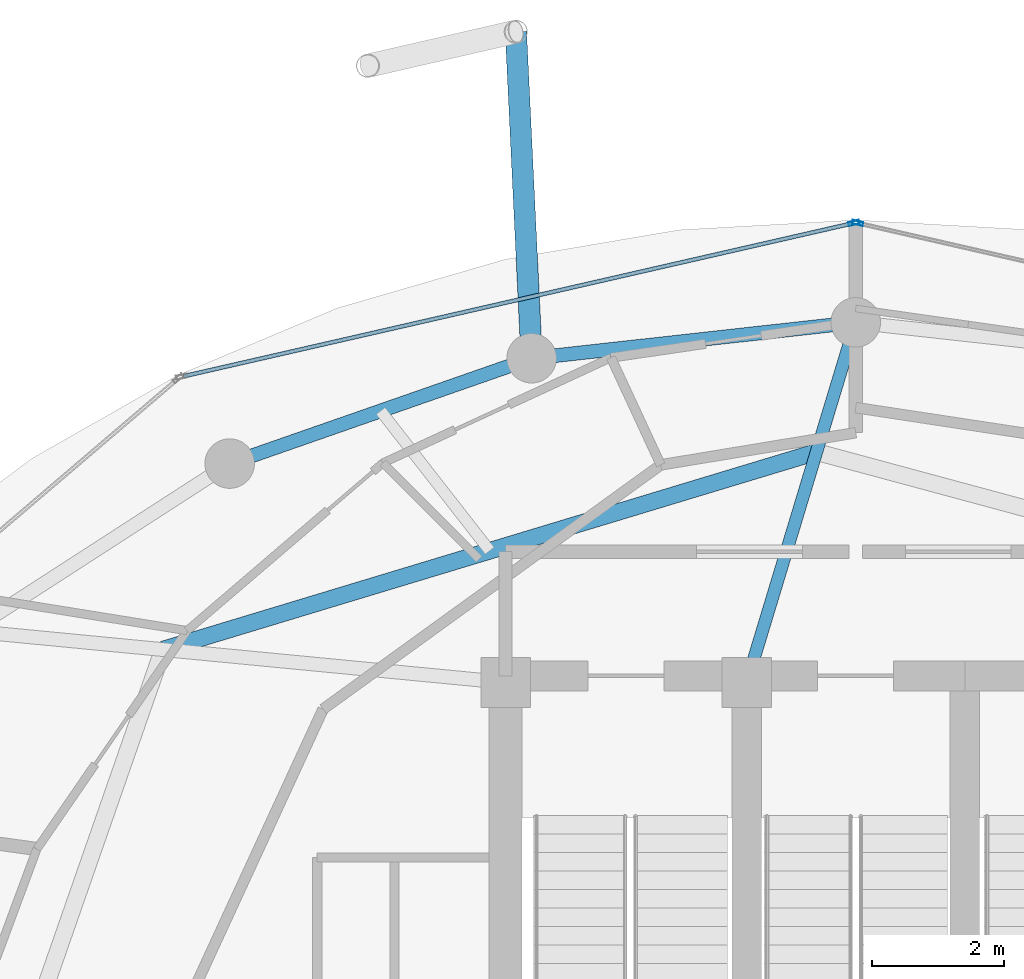
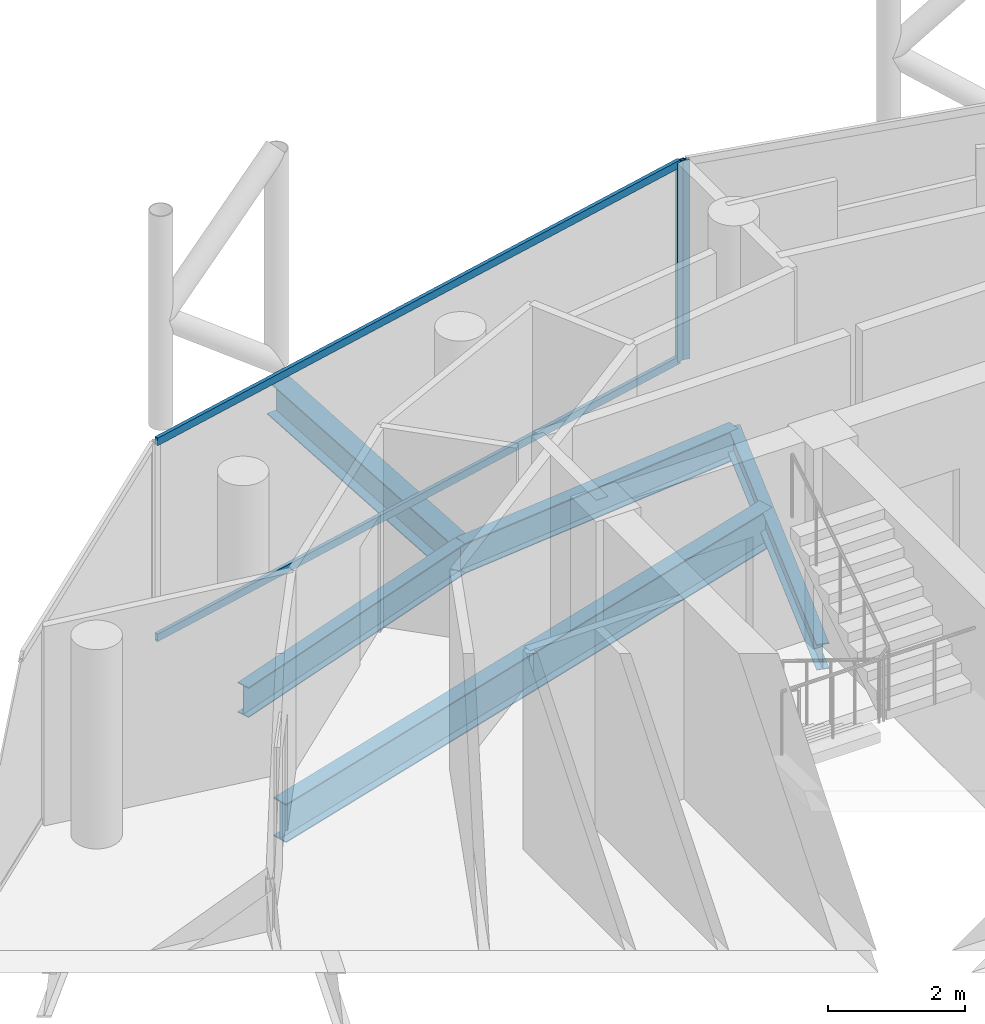
# One storey, part 16 of 24: 5 beams, 4 members, 2 elements without a shape of their own.
"""IFC4 building model written with IfcOpenShell, lengths in metres."""

from ifc_helpers import new_model, si_unit, direction, frame, origin, origin_2d, place, context, subcontext, project, spatial, hollow_rectangle, i_section, extrude, material, layer, layer_set, material_profile, profile_set, type_object, element, aggregate, save


model = new_model("IFC4")

# Units and contexts
model_context = context("Model", 3, precision=1e-05, world=origin(), true_north=direction((0.0, 1.0)))
body_context = subcontext(model_context, "Body", "Model", "MODEL_VIEW")
ifc_project = project(units=[si_unit("LENGTHUNIT", "METRE"), si_unit("AREAUNIT", "SQUARE_METRE"), si_unit("VOLUMEUNIT", "CUBIC_METRE"), si_unit("PLANEANGLEUNIT", "RADIAN"), si_unit("MASSUNIT", "GRAM", prefix="KILO")], contexts=[model_context])

# Site, building, storey
site_placement = place(None, origin())
site = spatial("IfcSite", under=ifc_project, at=site_placement, CompositionType="ELEMENT")
building_placement = place(site_placement, origin())
building = spatial("IfcBuilding", under=site, at=building_placement, Name="Nuhasar Tower", CompositionType="ELEMENT")
storey_placement = place(building_placement, frame((0.0, 0.0, 274.60009765625)))
storey = spatial("IfcBuildingStorey", under=building, at=storey_placement, Name="L68", CompositionType="ELEMENT", Elevation=274.60009765625)

# Beams
ifc_material_1 = material(Name="Steel S355", Category="steel")
ifc_material_profile_1 = material_profile(ifc_material_1, i_section(OverallWidth=0.25390625, OverallDepth=0.68408203125, WebThickness=0.012451171875, FlangeThickness=0.018798828125, at=origin_2d()), Name="W27X94")
ifc_profile_set_1 = profile_set([ifc_material_profile_1], Name="Steel S355")
beam_type_1 = type_object("IfcBeamType", Name="BM-INRING-W27X94", PredefinedType="BEAM", material=ifc_profile_set_1)
beam_1_placement = place(storey_placement, frame((38.406005859375, 40.7880859375, -0.60205078125), z_axis=(-0.957210818407, -0.289391515294, 0.0), x_axis=(0.289391515294, -0.957210818407, 0.0)))
element("IfcBeam", 1, at=beam_1_placement, inside=storey, type_object=beam_type_1, Name="L68 Inner Header Beam 06", PredefinedType="BEAM", context=body_context, shape_type="SweptSolid", body=[
    extrude(i_section(OverallWidth=0.25390625, OverallDepth=0.68408203125, WebThickness=0.012451171875, FlangeThickness=0.018798828125, at=origin_2d()), origin(), (0.0, 0.0, 1.0), 10.33203125),
])
ifc_material_profile_2 = material_profile(ifc_material_1, i_section(OverallWidth=0.18994140625, OverallDepth=0.45703125, WebThickness=0.009033203125, FlangeThickness=0.014404296875, at=origin_2d()), Name="W18X50")
ifc_profile_set_2 = profile_set([ifc_material_profile_2], Name="Steel S355")
beam_type_2 = type_object("IfcBeamType", Name="BM-RAD-W18X50", PredefinedType="BEAM", material=ifc_profile_set_2)
beam_2_placement = place(storey_placement, frame((37.35009765625, 37.300048828125, -0.489013671875), z_axis=(0.289750350206, 0.957102259195, 0.0), x_axis=(-0.957102259195, 0.289750350206, 0.0)))
element("IfcBeam", 2, at=beam_2_placement, inside=storey, type_object=beam_type_2, Name="L68 Radial Floor Girder 06", PredefinedType="BEAM", context=body_context, shape_type="SweptSolid", body=[
    extrude(i_section(OverallWidth=0.18994140625, OverallDepth=0.45703125, WebThickness=0.009033203125, FlangeThickness=0.014404296875, at=origin_2d()), origin(), (0.0, 0.0, 1.0), 5.6943359375),
])
ifc_material_profile_3 = material_profile(ifc_material_1, i_section(OverallWidth=0.2099609375, OverallDepth=0.537109375, WebThickness=0.010986328125, FlangeThickness=0.017333984375, at=origin_2d()), Name="W21X68")
ifc_profile_set_3 = profile_set([ifc_material_profile_3], Name="Steel S355")
beam_type_3 = type_object("IfcBeamType", Name="BM-RING-W21X68", PredefinedType="SPANDREL", material=ifc_profile_set_3)
beam_3_placement = place(storey_placement, frame((39.0, 42.75, -0.529052734375), z_axis=(-0.99392889943, -0.110024283128, 0.0), x_axis=(0.110024283128, -0.99392889943, 0.0)))
element("IfcBeam", 3, at=beam_3_placement, inside=storey, type_object=beam_type_3, Name="L68 Perimeter Ring Spandrel 07", PredefinedType="SPANDREL", context=body_context, shape_type="SweptSolid", body=[
    extrude(i_section(OverallWidth=0.2099609375, OverallDepth=0.537109375, WebThickness=0.010986328125, FlangeThickness=0.017333984375, at=origin_2d()), origin(), (0.0, 0.0, 1.0), 4.93505859375),
])
beam_4_placement = place(storey_placement, frame((34.094970703125, 42.20703125, -0.529052734375), z_axis=(-0.944214043504, -0.329332415729, 0.0), x_axis=(0.329332415729, -0.944214043504, 0.0)))
element("IfcBeam", 4, at=beam_4_placement, inside=storey, type_object=beam_type_3, Name="L68 Perimeter Ring Spandrel 08", PredefinedType="SPANDREL", context=body_context, shape_type="SweptSolid", body=[
    extrude(i_section(OverallWidth=0.2099609375, OverallDepth=0.537109375, WebThickness=0.010986328125, FlangeThickness=0.017333984375, at=origin_2d()), origin(), (0.0, 0.0, 1.0), 4.840087890625),
])
ifc_material_profile_4 = material_profile(ifc_material_1, i_section(OverallWidth=0.323974609375, OverallDepth=0.611083984375, WebThickness=0.0126953125, FlangeThickness=0.01904296875, at=origin_2d()), Name="W24X104")
ifc_profile_set_4 = profile_set([ifc_material_profile_4], Name="Steel S355")
beam_type_4 = type_object("IfcBeamType", Name="BM-TIE-W24X104", PredefinedType="BEAM", material=ifc_profile_set_4)
beam_5_placement = place(storey_placement, frame((34.094970703125, 42.20703125, -0.566162109375), z_axis=(-0.048111398417, 0.998841976162, 0.0), x_axis=(-0.998841976162, -0.048111398417, 0.0)))
element("IfcBeam", 5, at=beam_5_placement, inside=storey, type_object=beam_type_4, Name="L68 Exoskeleton Node Tie Beam 04", PredefinedType="BEAM", context=body_context, shape_type="SweptSolid", body=[
    extrude(i_section(OverallWidth=0.323974609375, OverallDepth=0.611083984375, WebThickness=0.0126953125, FlangeThickness=0.01904296875, at=origin_2d()), origin(), (0.0, 0.0, 1.0), 4.947509765625),
])

# Curtain wall, member
ifc_material_2 = material(Name="Aluminium 6063-T6", Category="aluminium")
ifc_layer = layer(ifc_material_2, 0.18994140625)
ifc_layer_set = layer_set([ifc_layer], Name="Aluminium 6063-T6")
curtain_wall_type = type_object("IfcCurtainWallType", Name="CW-Z4-PEN", PredefinedType="NOTDEFINED", material=ifc_layer_set)
curtain_wall_1_placement = place(storey_placement, origin())
curtain_wall_1 = element("IfcCurtainWall", 6, at=curtain_wall_1_placement, inside=storey, type_object=curtain_wall_type, Name="L68 Unitised Curtain Wall 03", PredefinedType="NOTDEFINED")
ifc_material_profile_5 = material_profile(ifc_material_2, hollow_rectangle(XDim=0.06005859375, YDim=0.1650390625, WallThickness=0.0048828125, at=origin_2d()), Name="CWM-5")
ifc_profile_set_5 = profile_set([ifc_material_profile_5], Name="Aluminium 6063-T6")
member_type_1 = type_object("IfcMemberType", Name="CW-MUL-S5", PredefinedType="MULLION", material=ifc_profile_set_5)
member_1_placement = place(storey_placement, frame((39.029296875, 44.25341796875, 0.0), z_axis=(0.0, 0.0, 1.0), x_axis=(-0.222889487645, -0.97484371891, 0.0)))
member_1 = element("IfcMember", 7, at=member_1_placement, type_object=member_type_1, Name="CW-Z4 mullion 2", PredefinedType="MULLION", context=body_context, shape_type="SweptSolid", body=[
    extrude(hollow_rectangle(XDim=0.06005859375, YDim=0.1650390625, WallThickness=0.0048828125, at=origin_2d()), origin(), (0.0, 0.0, 1.0), 3.539794921875),
])
aggregate(curtain_wall_1, [member_1])

# Curtain wall, members
curtain_wall_2_placement = place(storey_placement, origin())
curtain_wall_2 = element("IfcCurtainWall", 8, at=curtain_wall_2_placement, inside=storey, type_object=curtain_wall_type, Name="L68 Unitised Curtain Wall 04", PredefinedType="NOTDEFINED")
member_2_placement = place(storey_placement, frame((38.970703125, 44.25341796875, 0.0), z_axis=(0.0, 0.0, 1.0), x_axis=(0.222889487645, -0.97484371891, 0.0)))
member_2 = element("IfcMember", 9, at=member_2_placement, type_object=member_type_1, Name="CW-Z4 mullion 1", PredefinedType="MULLION", context=body_context, shape_type="SweptSolid", body=[
    extrude(hollow_rectangle(XDim=0.06005859375, YDim=0.1650390625, WallThickness=0.0048828125, at=origin_2d()), origin(), (0.0, 0.0, 1.0), 3.539794921875),
])
ifc_material_profile_6 = material_profile(ifc_material_2, hollow_rectangle(XDim=0.06005859375, YDim=0.135009765625, WallThickness=0.00439453125, at=origin_2d()), Name="CWT-5")
ifc_profile_set_6 = profile_set([ifc_material_profile_6], Name="Aluminium 6063-T6")
member_type_2 = type_object("IfcMemberType", Name="CW-TRN-S5", PredefinedType="USERDEFINED", material=ifc_profile_set_6)
member_3_placement = place(storey_placement, frame((38.94140625, 44.24658203125, 0.02978515625), z_axis=(-0.974843752401, -0.222889341163, 0.0), x_axis=(0.222889341163, -0.974843752401, 0.0)))
member_3 = element("IfcMember", 10, at=member_3_placement, type_object=member_type_2, Name="CW-Z4 transom 1.1", ObjectType="TRANSOM", PredefinedType="USERDEFINED", context=body_context, shape_type="SweptSolid", body=[
    extrude(hollow_rectangle(XDim=0.06005859375, YDim=0.135009765625, WallThickness=0.00439453125, at=origin_2d()), origin(), (0.0, 0.0, 1.0), 10.3740234375),
])
member_4_placement = place(storey_placement, frame((38.94140625, 44.24658203125, 3.510009765625), z_axis=(-0.974843752401, -0.222889341163, 0.0), x_axis=(0.222889341163, -0.974843752401, 0.0)))
member_4 = element("IfcMember", 11, at=member_4_placement, type_object=member_type_2, Name="CW-Z4 transom 1.2", ObjectType="TRANSOM", PredefinedType="USERDEFINED", context=body_context, shape_type="SweptSolid", body=[
    extrude(hollow_rectangle(XDim=0.06005859375, YDim=0.135009765625, WallThickness=0.00439453125, at=origin_2d()), origin(), (0.0, 0.0, 1.0), 10.3740234375),
])
aggregate(curtain_wall_2, [member_2, member_3, member_4])

save(model, "model.ifc")
